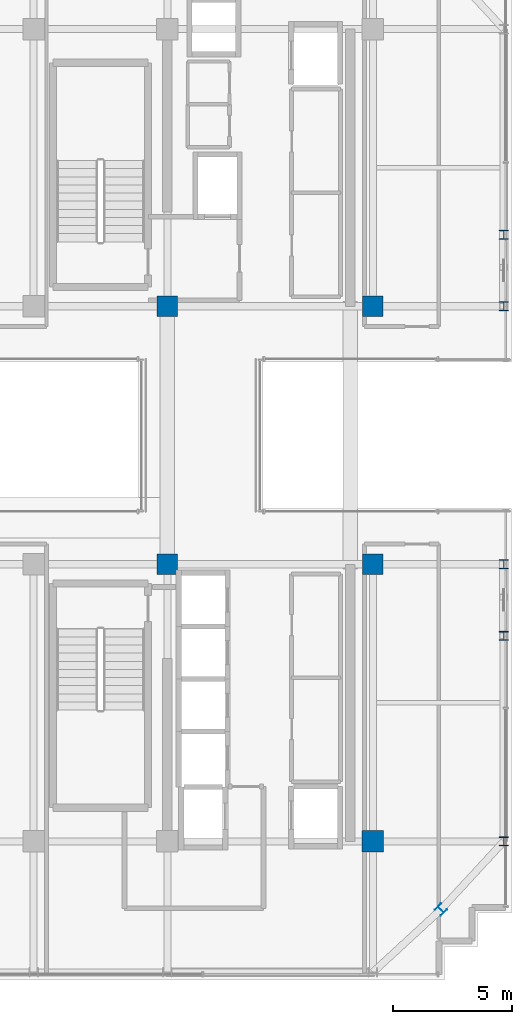
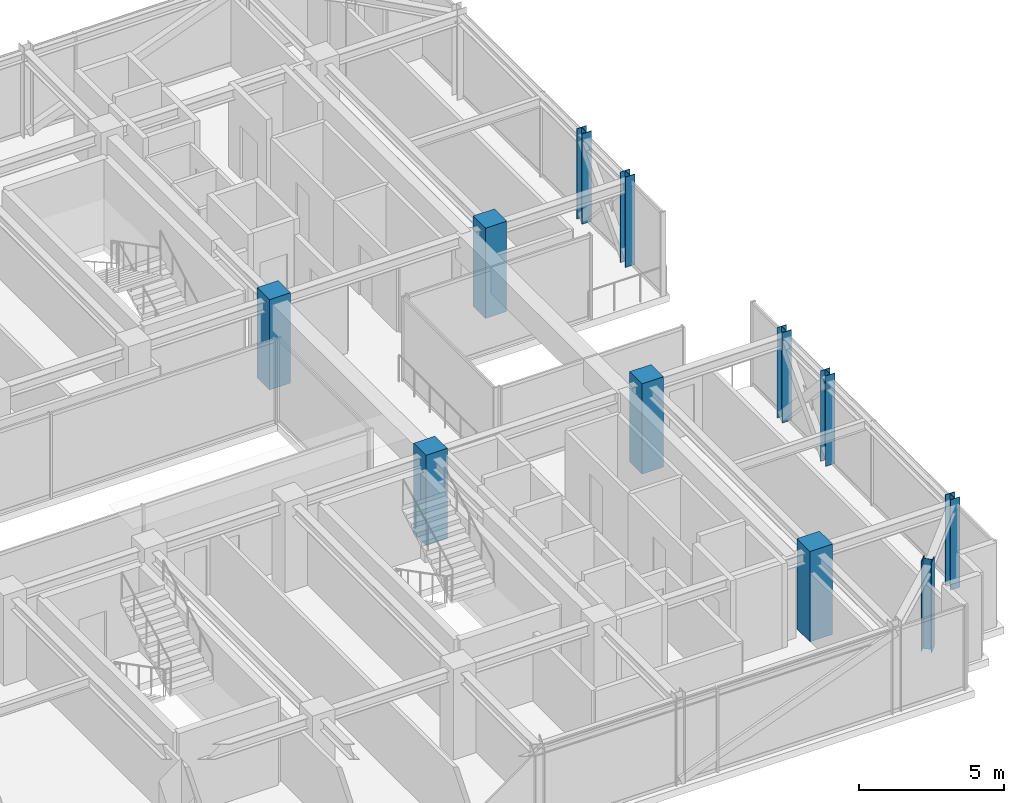
# One storey, part 2 of 40: 11 columns.
"""IFC4 building model written with IfcOpenShell, lengths in metres."""

from ifc_helpers import new_model, si_unit, direction, frame, origin, origin_2d, place, context, subcontext, project, spatial, rectangle, i_section, extrude, source, transform, mapped, material, material_profile, profile_set, type_object, element, save


model = new_model("IFC4")

# Units and contexts
model_context = context("Model", 3, precision=1e-05, world=origin(), true_north=direction((0.0, 1.0)))
body_context = subcontext(model_context, "Body", "Model", "MODEL_VIEW")
ifc_project = project(units=[si_unit("LENGTHUNIT", "METRE"), si_unit("AREAUNIT", "SQUARE_METRE"), si_unit("VOLUMEUNIT", "CUBIC_METRE"), si_unit("PLANEANGLEUNIT", "RADIAN"), si_unit("MASSUNIT", "GRAM", prefix="KILO")], contexts=[model_context])

# Site, building, storey
site_placement = place(None, origin())
site = spatial("IfcSite", under=ifc_project, at=site_placement, CompositionType="ELEMENT")
building_placement = place(site_placement, origin())
building = spatial("IfcBuilding", under=site, at=building_placement, Name="Nahalor Promenade Grand Hotel", CompositionType="ELEMENT")
storey_placement = place(building_placement, frame((0.0, 0.0, 288.800048828125)))
storey = spatial("IfcBuildingStorey", under=building, at=storey_placement, Name="L74", CompositionType="ELEMENT", Elevation=288.800048828125)

# Columns
ifc_material_1 = material(Name="Concrete B-50 (C40/50)", Category="concrete")
ifc_material_profile_1 = material_profile(ifc_material_1, rectangle(XDim=0.9, YDim=0.9, at=origin_2d()), Name="RC 900x900")
ifc_profile_set_1 = profile_set([ifc_material_profile_1], Name="Concrete B-50 (C40/50)")
column_type_1 = type_object("IfcColumnType", Name="Col-RC-900", PredefinedType="COLUMN", material=ifc_profile_set_1)
shared_shape_1 = source(origin(), body_context, "Body", "SweptSolid", [
    extrude(rectangle(XDim=0.9, YDim=0.9, at=origin_2d()), origin(), (0.0, 0.0, 1.0), 3.804931640625),
])
column_placement = place(storey_placement, frame((17.0, -17.0, 0.0), z_axis=(0.0, 0.0, 1.0), x_axis=(1.0, 0.0, 0.0)))
element("IfcColumn", 1, at=column_placement, inside=storey, type_object=column_type_1, Name="COL-L74-I50", PredefinedType="COLUMN", context=body_context, shape_type="MappedRepresentation", body=[
    mapped(shared_shape_1, transform((0.0, 0.0, 0.0), scale=1.0)),
])
ifc_material_2 = material(Name="Concrete B-70 (C60/75)", Category="concrete")
ifc_material_profile_2 = material_profile(ifc_material_2, rectangle(XDim=0.85, YDim=0.85, at=origin_2d()), Name="RC 850x850")
ifc_profile_set_2 = profile_set([ifc_material_profile_2], Name="Concrete B-70 (C60/75)")
column_type_2 = type_object("IfcColumnType", Name="Col-Pilaster-850", PredefinedType="PILASTER", material=ifc_profile_set_2)
shared_shape_2 = source(origin(), body_context, "Body", "SweptSolid", [
    extrude(rectangle(XDim=0.85, YDim=0.85, at=origin_2d()), origin(), (0.0, 0.0, 1.0), 3.804931640625),
])
for number, where, z_axis, x_axis, name in (
    (2, (8.39990234375, -5.39990234375, 0.0), (0.0, 0.0, 1.0), (1.0, 0.0, 0.0), "COL-L74-I41"),
    (3, (8.39990234375, 5.39990234375, 0.0), (0.0, 0.0, 1.0), (1.0, 0.0, 0.0), "COL-L74-I42"),
    (4, (17.0, -5.39990234375, 0.0), (0.0, 0.0, 1.0), (1.0, 0.0, 0.0), "COL-L74-I51"),
    (5, (17.0, 5.39990234375, 0.0), (0.0, 0.0, 1.0), (1.0, 0.0, 0.0), "COL-L74-I52"),
):
    element("IfcColumn", number, at=place(storey_placement, frame(where, z_axis=z_axis, x_axis=x_axis)), inside=storey, type_object=column_type_2, Name=name, PredefinedType="PILASTER", context=body_context, shape_type="MappedRepresentation", body=[
        mapped(shared_shape_2, transform((0.0, 0.0, 0.0), scale=1.0)),
    ])
ifc_material_3 = material(Name="Steel S355JR", Category="steel")
ifc_material_profile_3 = material_profile(ifc_material_3, i_section(OverallWidth=0.374, OverallDepth=0.374, WebThickness=0.0144, FlangeThickness=0.0229, at=origin_2d()), Name="HD 360x262")
ifc_profile_set_3 = profile_set([ifc_material_profile_3], Name="Steel S355JR")
column_type_3 = type_object("IfcColumnType", Name="Col-Steel-HD262", PredefinedType="COLUMN", material=ifc_profile_set_3)
shared_shape_3 = source(origin(), body_context, "Body", "SweptSolid", [
    extrude(i_section(OverallWidth=0.374, OverallDepth=0.374, WebThickness=0.0144, FlangeThickness=0.0229, at=origin_2d()), origin(), (0.0, 0.0, 1.0), 3.804931640625),
])
for number, where, z_axis, x_axis, name in (
    (6, (22.47998046875, -17.0, 0.0), (0.0, 0.0, 1.0), (1.0, 0.0, 0.0), "COL-L74-PW-E0"),
    (7, (22.47998046875, -8.39990234375, 0.0), (0.0, 0.0, 1.0), (1.0, 0.0, 0.0), "COL-L74-PW-E1"),
    (8, (22.47998046875, -5.39990234375, 0.0), (0.0, 0.0, 1.0), (1.0, 0.0, 0.0), "COL-L74-PW-E2"),
    (9, (22.47998046875, 5.39990234375, 0.0), (0.0, 0.0, 1.0), (1.0, 0.0, 0.0), "COL-L74-PW-E3"),
    (10, (22.47998046875, 8.39990234375, 0.0), (0.0, 0.0, 1.0), (1.0, 0.0, 0.0), "COL-L74-PW-E4"),
    (11, (19.85009765625, -19.85009765625, 0.0), (0.0, 0.0, 1.0), (0.707106781187, 0.707106781187, 0.0), "COL-L74-CRN-SE"),
):
    element("IfcColumn", number, at=place(storey_placement, frame(where, z_axis=z_axis, x_axis=x_axis)), inside=storey, type_object=column_type_3, Name=name, PredefinedType="COLUMN", context=body_context, shape_type="MappedRepresentation", body=[
        mapped(shared_shape_3, transform((0.0, 0.0, 0.0), scale=1.0)),
    ])

save(model, "model.ifc")
